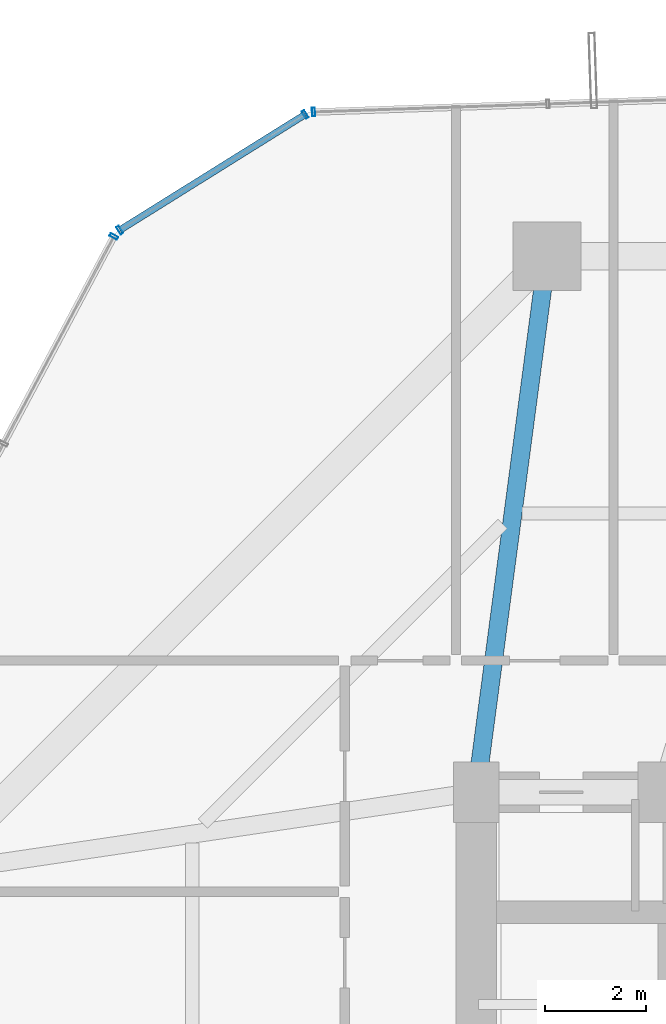
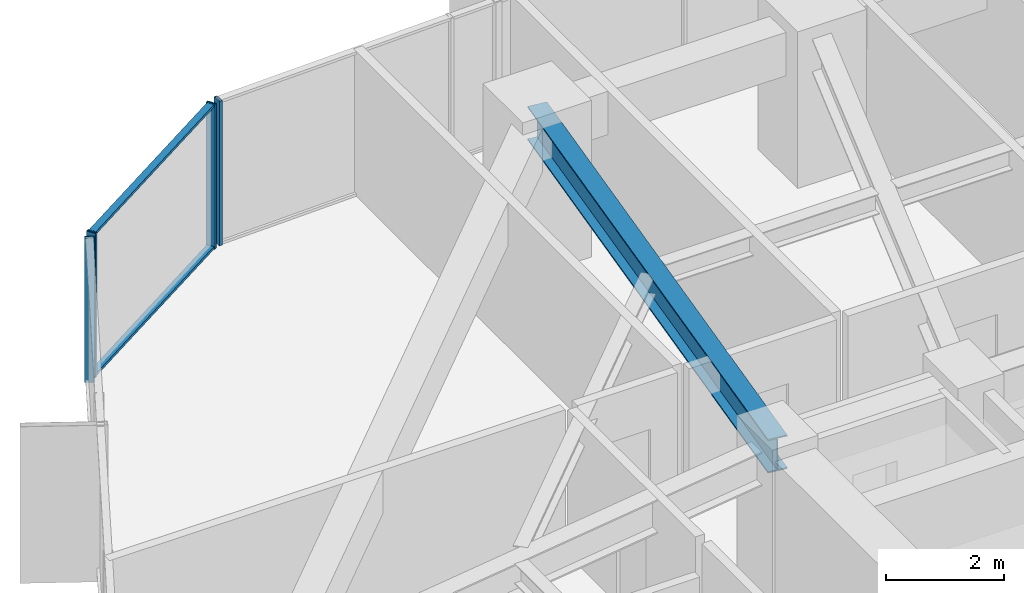
# One storey, part 25 of 39: 6 members, 1 beam, 3 elements without a shape of their own.
"""IFC4 building model written with IfcOpenShell, lengths in metres."""

from ifc_helpers import new_model, si_unit, direction, frame, origin, origin_2d, place, context, subcontext, project, spatial, hollow_rectangle, i_section, extrude, source, transform, mapped, material, layer, layer_set, material_profile, profile_set, type_object, element, aggregate, save


model = new_model("IFC4")

# Units and contexts
model_context = context("Model", 3, precision=1e-05, world=origin(), true_north=direction((0.0, 1.0)))
body_context = subcontext(model_context, "Body", "Model", "MODEL_VIEW")
ifc_project = project(units=[si_unit("LENGTHUNIT", "METRE"), si_unit("AREAUNIT", "SQUARE_METRE"), si_unit("VOLUMEUNIT", "CUBIC_METRE"), si_unit("PLANEANGLEUNIT", "RADIAN"), si_unit("MASSUNIT", "GRAM", prefix="KILO")], contexts=[model_context])

# Site, building, storey
site_placement = place(None, origin())
site = spatial("IfcSite", under=ifc_project, at=site_placement, CompositionType="ELEMENT")
building_placement = place(site_placement, origin())
building = spatial("IfcBuilding", under=site, at=building_placement, Name="Veraguas Prism Commons", CompositionType="ELEMENT")
storey_placement = place(building_placement, frame((0.0, 0.0, 30.550048828125)))
storey = spatial("IfcBuildingStorey", under=building, at=storey_placement, Name="L07", CompositionType="ELEMENT", Elevation=30.550048828125)

# Beam
ifc_material_1 = material(Name="Steel ASTM A992 Grade 50", Category="steel")
ifc_material_profile_1 = material_profile(ifc_material_1, i_section(OverallWidth=0.35595703125, OverallDepth=0.700927734375, WebThickness=0.016845703125, FlangeThickness=0.02734375, at=origin_2d()), Name="W690X240")
ifc_profile_set_1 = profile_set([ifc_material_profile_1], Name="Steel ASTM A992 Grade 50")
beam_type = type_object("IfcBeamType", Name="Zone 1 Radial Girder W690x240", PredefinedType="BEAM", material=ifc_profile_set_1)
beam_placement = place(storey_placement, frame((18.60009765625, 41.60009765625, 2.6494140625), z_axis=(-0.130950648891, -0.991388888154, 0.0), x_axis=(0.991388888154, -0.130950648891, 0.0)))
element("IfcBeam", 1, at=beam_placement, inside=storey, type_object=beam_type, Name="Radial Floor Girder L07-RD06", PredefinedType="BEAM", context=body_context, shape_type="SweptSolid", body=[
    extrude(i_section(OverallWidth=0.35595703125, OverallDepth=0.700927734375, WebThickness=0.016845703125, FlangeThickness=0.02734375, at=origin_2d()), origin(), (0.0, 0.0, 1.0), 10.692138671875),
])

# Curtain wall, member
ifc_material_2 = material(Name="Anodised aluminium EN AW-6063 T6", Category="aluminium")
ifc_layer = layer(ifc_material_2, 0.169921875, Name="Unitised Flush Curtain Wall Zone 1", Category="aluminium")
ifc_layer_set = layer_set([ifc_layer], Name="Anodised aluminium EN AW-6063 T6")
curtain_wall_type = type_object("IfcCurtainWallType", Name="Unitised Flush Curtain Wall Zone 1", PredefinedType="NOTDEFINED", material=ifc_layer_set)
curtain_wall_1_placement = place(storey_placement, origin())
curtain_wall_1 = element("IfcCurtainWall", 2, at=curtain_wall_1_placement, inside=storey, type_object=curtain_wall_type, Name="Tower Facade Curtain Wall L07-F2", PredefinedType="NOTDEFINED")
ifc_material_profile_2 = material_profile(ifc_material_2, hollow_rectangle(XDim=0.06005859375, YDim=0.169921875, WallThickness=0.00390625, at=origin_2d()), Name="AL60X170X4")
ifc_profile_set_2 = profile_set([ifc_material_profile_2], Name="Anodised aluminium EN AW-6063 T6")
member_type_1 = type_object("IfcMemberType", Name="Curtain Wall Mullion Lower AL 60x170x4", PredefinedType="MULLION", material=ifc_profile_set_2)
shared_shape_1 = source(origin(), body_context, "Body", "SweptSolid", [
    extrude(hollow_rectangle(XDim=0.06005859375, YDim=0.169921875, WallThickness=0.00390625, at=origin_2d()), origin(), (0.0, 0.0, 1.0), 3.0),
])
member_1_placement = place(storey_placement, frame((13.982666015625, 44.4541015625, 0.0), z_axis=(0.0, 0.0, 1.0), x_axis=(-0.999415186666, -0.034194804603, 0.0)))
member_1 = element("IfcMember", 3, at=member_1_placement, type_object=member_type_1, Name="CW-Z1 Mullion 5", PredefinedType="MULLION", context=body_context, shape_type="MappedRepresentation", body=[
    mapped(shared_shape_1, transform((0.0, 0.0, 0.0), scale=1.0)),
])
aggregate(curtain_wall_1, [member_1])

curtain_wall_2_placement = place(storey_placement, origin())
curtain_wall_2 = element("IfcCurtainWall", 4, at=curtain_wall_2_placement, inside=storey, type_object=curtain_wall_type, Name="Tower Facade Curtain Wall L07-F3", PredefinedType="NOTDEFINED")
member_2_placement = place(storey_placement, frame((10.032470703125, 41.989501953125, 0.0), z_axis=(0.0, 0.0, 1.0), x_axis=(-0.470089402494, -0.882618804277, 0.0)))
member_2 = element("IfcMember", 5, at=member_2_placement, type_object=member_type_1, Name="CW-Z1 Mullion 1", PredefinedType="MULLION", context=body_context, shape_type="MappedRepresentation", body=[
    mapped(shared_shape_1, transform((0.0, 0.0, 0.0), scale=1.0)),
])
aggregate(curtain_wall_2, [member_2])

# Curtain wall, members
curtain_wall_3_placement = place(storey_placement, origin())
curtain_wall_3 = element("IfcCurtainWall", 6, at=curtain_wall_3_placement, inside=storey, type_object=curtain_wall_type, Name="Chamfer Curtain Wall L07-C3", PredefinedType="NOTDEFINED")
member_3_placement = place(storey_placement, frame((13.81640625, 44.4033203125, 0.0), z_axis=(0.0, 0.0, 1.0), x_axis=(-0.848425233617, -0.529315239684, 0.0)))
member_3 = element("IfcMember", 7, at=member_3_placement, type_object=member_type_1, Name="CW-Z1 Mullion 1", PredefinedType="MULLION", context=body_context, shape_type="MappedRepresentation", body=[
    mapped(shared_shape_1, transform((0.0, 0.0, 0.0), scale=1.0)),
])
member_4_placement = place(storey_placement, frame((10.151123046875, 42.11669921875, 0.0), z_axis=(0.0, 0.0, 1.0), x_axis=(-0.848425233617, -0.529315239684, 0.0)))
member_4 = element("IfcMember", 8, at=member_4_placement, type_object=member_type_1, Name="CW-Z1 Mullion 2", PredefinedType="MULLION", context=body_context, shape_type="MappedRepresentation", body=[
    mapped(shared_shape_1, transform((0.0, 0.0, 0.0), scale=1.0)),
])
ifc_material_profile_3 = material_profile(ifc_material_2, hollow_rectangle(XDim=0.054931640625, YDim=0.135009765625, WallThickness=0.0029296875, at=origin_2d()), Name="AL55X135X3")
ifc_profile_set_3 = profile_set([ifc_material_profile_3], Name="Anodised aluminium EN AW-6063 T6")
member_type_2 = type_object("IfcMemberType", Name="Curtain Wall Transom Standard AL 55x135x3", PredefinedType="USERDEFINED", material=ifc_profile_set_3)
shared_shape_2 = source(origin(), body_context, "Body", "SweptSolid", [
    extrude(hollow_rectangle(XDim=0.054931640625, YDim=0.135009765625, WallThickness=0.0029296875, at=origin_2d()), origin(), (0.0, 0.0, 1.0), 4.320068359375),
])
member_5_placement = place(storey_placement, frame((13.81640625, 44.4033203125, 0.02734375), z_axis=(-0.848432979737, -0.529302823434, 0.0), x_axis=(0.0, 0.0, 1.0)))
member_5 = element("IfcMember", 9, at=member_5_placement, type_object=member_type_2, Name="CW-Z1 Transom 1", ObjectType="TRANSOM", PredefinedType="USERDEFINED", context=body_context, shape_type="MappedRepresentation", body=[
    mapped(shared_shape_2, transform((0.0, 0.0, 0.0), scale=1.0)),
])
member_6_placement = place(storey_placement, frame((13.81640625, 44.4033203125, 2.972412109375), z_axis=(-0.848432979737, -0.529302823434, 0.0), x_axis=(0.0, 0.0, 1.0)))
member_6 = element("IfcMember", 10, at=member_6_placement, type_object=member_type_2, Name="CW-Z1 Transom 2", ObjectType="TRANSOM", PredefinedType="USERDEFINED", context=body_context, shape_type="MappedRepresentation", body=[
    mapped(shared_shape_2, transform((0.0, 0.0, 0.0), scale=1.0)),
])
aggregate(curtain_wall_3, [member_3, member_4, member_5, member_6])

save(model, "model.ifc")
